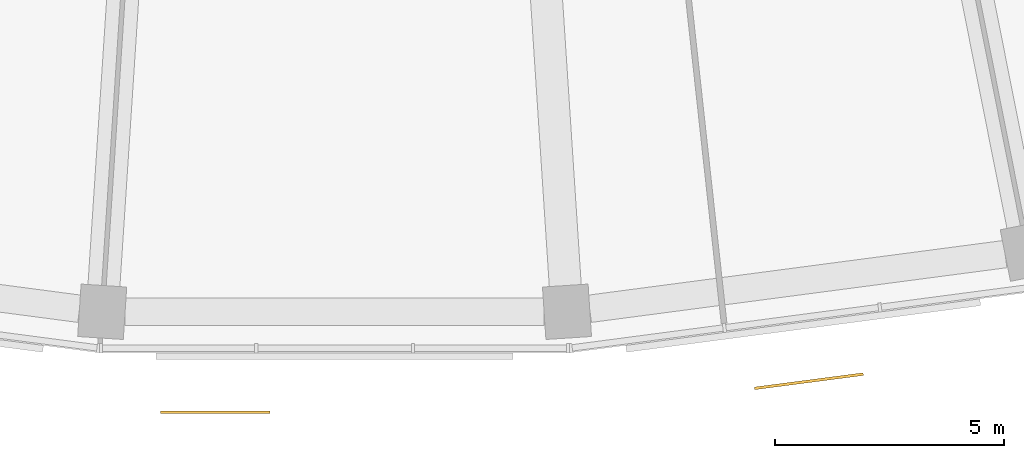
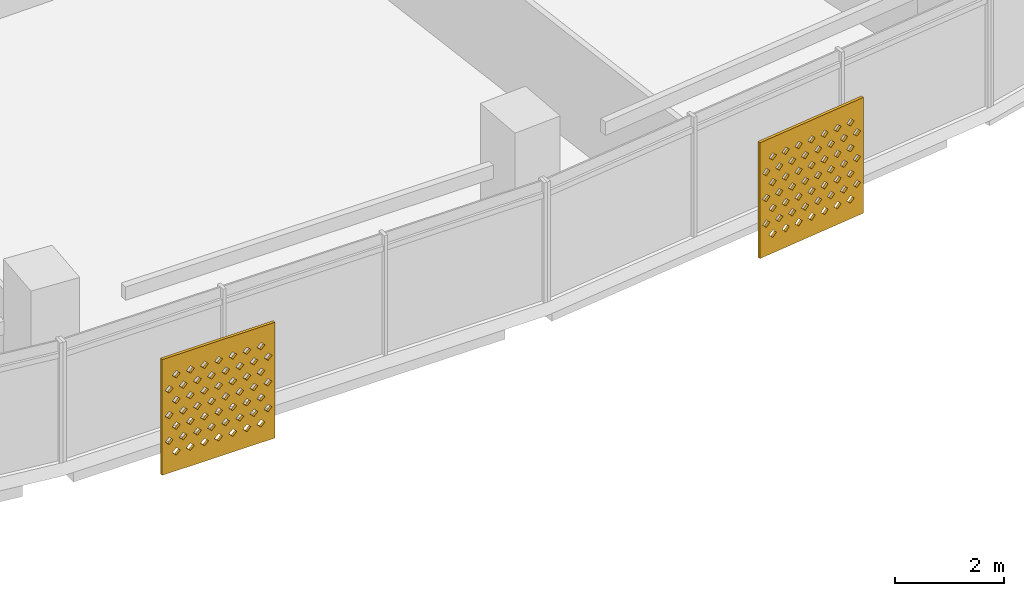
# One storey, part 25 of 28: 2 shading devices.
"""IFC4 building model written with IfcOpenShell, lengths in metres."""

from ifc_helpers import new_model, si_unit, direction, frame, origin, place, context, subcontext, project, spatial, polyline, outline, extrude, material, material_profile, profile_set, type_object, element, save


model = new_model("IFC4")

# Units and contexts
model_context = context("Model", 3, precision=1e-05, world=origin(), true_north=direction((0.0, 1.0)))
body_context = subcontext(model_context, "Body", "Model", "MODEL_VIEW")
ifc_project = project(units=[si_unit("LENGTHUNIT", "METRE"), si_unit("AREAUNIT", "SQUARE_METRE"), si_unit("VOLUMEUNIT", "CUBIC_METRE"), si_unit("PLANEANGLEUNIT", "RADIAN"), si_unit("MASSUNIT", "GRAM", prefix="KILO")], contexts=[model_context])

# Site, building, storey
site_placement = place(None, origin())
site = spatial("IfcSite", under=ifc_project, at=site_placement, CompositionType="ELEMENT")
building_placement = place(site_placement, origin())
building = spatial("IfcBuilding", under=site, at=building_placement, Name="Qamariyya Broadcast Tower", CompositionType="ELEMENT")
storey_placement = place(building_placement, frame((0.0, 0.0, 245.5)))
storey = spatial("IfcBuildingStorey", under=building, at=storey_placement, Name="L59", CompositionType="ELEMENT", Elevation=245.5)

# Shading devices
ifc_material = material(Name="Perforated glazed terracotta", Category="masonry")
ifc_material_profile = material_profile(ifc_material, outline(polyline([(-1.199951171875, -1.300048828125), (1.199951171875, -1.300048828125), (1.199951171875, 1.300048828125), (-1.199951171875, 1.300048828125), (-1.199951171875, -1.300048828125)]), holes=[polyline([(-0.81494140625, -0.86669921875), (-0.89990234375, -0.78173828125), (-0.985107421875, -0.86669921875), (-0.89990234375, -0.95166015625), (-0.81494140625, -0.86669921875)]), polyline([(-0.514892578125, -0.86669921875), (-0.60009765625, -0.78173828125), (-0.68505859375, -0.86669921875), (-0.60009765625, -0.95166015625), (-0.514892578125, -0.86669921875)]), polyline([(-0.215087890625, -0.86669921875), (-0.300048828125, -0.78173828125), (-0.385009765625, -0.86669921875), (-0.300048828125, -0.95166015625), (-0.215087890625, -0.86669921875)]), polyline([(0.0849609375, -0.86669921875), (0.0, -0.78173828125), (-0.0849609375, -0.86669921875), (0.0, -0.95166015625), (0.0849609375, -0.86669921875)]), polyline([(0.385009765625, -0.86669921875), (0.300048828125, -0.78173828125), (0.215087890625, -0.86669921875), (0.300048828125, -0.95166015625), (0.385009765625, -0.86669921875)]), polyline([(0.68505859375, -0.86669921875), (0.60009765625, -0.78173828125), (0.514892578125, -0.86669921875), (0.60009765625, -0.95166015625), (0.68505859375, -0.86669921875)]), polyline([(0.985107421875, -0.86669921875), (0.89990234375, -0.78173828125), (0.81494140625, -0.86669921875), (0.89990234375, -0.95166015625), (0.985107421875, -0.86669921875)]), polyline([(-0.965087890625, -0.577880859375), (-1.050048828125, -0.49267578125), (-1.135009765625, -0.577880859375), (-1.050048828125, -0.662841796875), (-0.965087890625, -0.577880859375)]), polyline([(-0.6650390625, -0.577880859375), (-0.75, -0.49267578125), (-0.8349609375, -0.577880859375), (-0.75, -0.662841796875), (-0.6650390625, -0.577880859375)]), polyline([(-0.364990234375, -0.577880859375), (-0.449951171875, -0.49267578125), (-0.534912109375, -0.577880859375), (-0.449951171875, -0.662841796875), (-0.364990234375, -0.577880859375)]), polyline([(-0.06494140625, -0.577880859375), (-0.14990234375, -0.49267578125), (-0.235107421875, -0.577880859375), (-0.14990234375, -0.662841796875), (-0.06494140625, -0.577880859375)]), polyline([(0.235107421875, -0.577880859375), (0.14990234375, -0.49267578125), (0.06494140625, -0.577880859375), (0.14990234375, -0.662841796875), (0.235107421875, -0.577880859375)]), polyline([(0.534912109375, -0.577880859375), (0.449951171875, -0.49267578125), (0.364990234375, -0.577880859375), (0.449951171875, -0.662841796875), (0.534912109375, -0.577880859375)]), polyline([(0.8349609375, -0.577880859375), (0.75, -0.49267578125), (0.6650390625, -0.577880859375), (0.75, -0.662841796875), (0.8349609375, -0.577880859375)]), polyline([(1.135009765625, -0.577880859375), (1.050048828125, -0.49267578125), (0.965087890625, -0.577880859375), (1.050048828125, -0.662841796875), (1.135009765625, -0.577880859375)]), polyline([(-0.81494140625, -0.288818359375), (-0.89990234375, -0.203857421875), (-0.985107421875, -0.288818359375), (-0.89990234375, -0.373779296875), (-0.81494140625, -0.288818359375)]), polyline([(-0.514892578125, -0.288818359375), (-0.60009765625, -0.203857421875), (-0.68505859375, -0.288818359375), (-0.60009765625, -0.373779296875), (-0.514892578125, -0.288818359375)]), polyline([(-0.215087890625, -0.288818359375), (-0.300048828125, -0.203857421875), (-0.385009765625, -0.288818359375), (-0.300048828125, -0.373779296875), (-0.215087890625, -0.288818359375)]), polyline([(0.0849609375, -0.288818359375), (0.0, -0.203857421875), (-0.0849609375, -0.288818359375), (0.0, -0.373779296875), (0.0849609375, -0.288818359375)]), polyline([(0.385009765625, -0.288818359375), (0.300048828125, -0.203857421875), (0.215087890625, -0.288818359375), (0.300048828125, -0.373779296875), (0.385009765625, -0.288818359375)]), polyline([(0.68505859375, -0.288818359375), (0.60009765625, -0.203857421875), (0.514892578125, -0.288818359375), (0.60009765625, -0.373779296875), (0.68505859375, -0.288818359375)]), polyline([(0.985107421875, -0.288818359375), (0.89990234375, -0.203857421875), (0.81494140625, -0.288818359375), (0.89990234375, -0.373779296875), (0.985107421875, -0.288818359375)]), polyline([(-0.965087890625, 0.0), (-1.050048828125, 0.0849609375), (-1.135009765625, 0.0), (-1.050048828125, -0.0849609375), (-0.965087890625, 0.0)]), polyline([(-0.6650390625, 0.0), (-0.75, 0.0849609375), (-0.8349609375, 0.0), (-0.75, -0.0849609375), (-0.6650390625, 0.0)]), polyline([(-0.364990234375, 0.0), (-0.449951171875, 0.0849609375), (-0.534912109375, 0.0), (-0.449951171875, -0.0849609375), (-0.364990234375, 0.0)]), polyline([(-0.06494140625, 0.0), (-0.14990234375, 0.0849609375), (-0.235107421875, 0.0), (-0.14990234375, -0.0849609375), (-0.06494140625, 0.0)]), polyline([(0.235107421875, 0.0), (0.14990234375, 0.0849609375), (0.06494140625, 0.0), (0.14990234375, -0.0849609375), (0.235107421875, 0.0)]), polyline([(0.534912109375, 0.0), (0.449951171875, 0.0849609375), (0.364990234375, 0.0), (0.449951171875, -0.0849609375), (0.534912109375, 0.0)]), polyline([(0.8349609375, 0.0), (0.75, 0.0849609375), (0.6650390625, 0.0), (0.75, -0.0849609375), (0.8349609375, 0.0)]), polyline([(1.135009765625, 0.0), (1.050048828125, 0.0849609375), (0.965087890625, 0.0), (1.050048828125, -0.0849609375), (1.135009765625, 0.0)]), polyline([(-0.81494140625, 0.288818359375), (-0.89990234375, 0.373779296875), (-0.985107421875, 0.288818359375), (-0.89990234375, 0.203857421875), (-0.81494140625, 0.288818359375)]), polyline([(-0.514892578125, 0.288818359375), (-0.60009765625, 0.373779296875), (-0.68505859375, 0.288818359375), (-0.60009765625, 0.203857421875), (-0.514892578125, 0.288818359375)]), polyline([(-0.215087890625, 0.288818359375), (-0.300048828125, 0.373779296875), (-0.385009765625, 0.288818359375), (-0.300048828125, 0.203857421875), (-0.215087890625, 0.288818359375)]), polyline([(0.0849609375, 0.288818359375), (0.0, 0.373779296875), (-0.0849609375, 0.288818359375), (0.0, 0.203857421875), (0.0849609375, 0.288818359375)]), polyline([(0.385009765625, 0.288818359375), (0.300048828125, 0.373779296875), (0.215087890625, 0.288818359375), (0.300048828125, 0.203857421875), (0.385009765625, 0.288818359375)]), polyline([(0.68505859375, 0.288818359375), (0.60009765625, 0.373779296875), (0.514892578125, 0.288818359375), (0.60009765625, 0.203857421875), (0.68505859375, 0.288818359375)]), polyline([(0.985107421875, 0.288818359375), (0.89990234375, 0.373779296875), (0.81494140625, 0.288818359375), (0.89990234375, 0.203857421875), (0.985107421875, 0.288818359375)]), polyline([(-0.965087890625, 0.577880859375), (-1.050048828125, 0.662841796875), (-1.135009765625, 0.577880859375), (-1.050048828125, 0.49267578125), (-0.965087890625, 0.577880859375)]), polyline([(-0.6650390625, 0.577880859375), (-0.75, 0.662841796875), (-0.8349609375, 0.577880859375), (-0.75, 0.49267578125), (-0.6650390625, 0.577880859375)]), polyline([(-0.364990234375, 0.577880859375), (-0.449951171875, 0.662841796875), (-0.534912109375, 0.577880859375), (-0.449951171875, 0.49267578125), (-0.364990234375, 0.577880859375)]), polyline([(-0.06494140625, 0.577880859375), (-0.14990234375, 0.662841796875), (-0.235107421875, 0.577880859375), (-0.14990234375, 0.49267578125), (-0.06494140625, 0.577880859375)]), polyline([(0.235107421875, 0.577880859375), (0.14990234375, 0.662841796875), (0.06494140625, 0.577880859375), (0.14990234375, 0.49267578125), (0.235107421875, 0.577880859375)]), polyline([(0.534912109375, 0.577880859375), (0.449951171875, 0.662841796875), (0.364990234375, 0.577880859375), (0.449951171875, 0.49267578125), (0.534912109375, 0.577880859375)]), polyline([(0.8349609375, 0.577880859375), (0.75, 0.662841796875), (0.6650390625, 0.577880859375), (0.75, 0.49267578125), (0.8349609375, 0.577880859375)]), polyline([(1.135009765625, 0.577880859375), (1.050048828125, 0.662841796875), (0.965087890625, 0.577880859375), (1.050048828125, 0.49267578125), (1.135009765625, 0.577880859375)]), polyline([(-0.81494140625, 0.86669921875), (-0.89990234375, 0.95166015625), (-0.985107421875, 0.86669921875), (-0.89990234375, 0.78173828125), (-0.81494140625, 0.86669921875)]), polyline([(-0.514892578125, 0.86669921875), (-0.60009765625, 0.95166015625), (-0.68505859375, 0.86669921875), (-0.60009765625, 0.78173828125), (-0.514892578125, 0.86669921875)]), polyline([(-0.215087890625, 0.86669921875), (-0.300048828125, 0.95166015625), (-0.385009765625, 0.86669921875), (-0.300048828125, 0.78173828125), (-0.215087890625, 0.86669921875)]), polyline([(0.0849609375, 0.86669921875), (0.0, 0.95166015625), (-0.0849609375, 0.86669921875), (0.0, 0.78173828125), (0.0849609375, 0.86669921875)]), polyline([(0.385009765625, 0.86669921875), (0.300048828125, 0.95166015625), (0.215087890625, 0.86669921875), (0.300048828125, 0.78173828125), (0.385009765625, 0.86669921875)]), polyline([(0.68505859375, 0.86669921875), (0.60009765625, 0.95166015625), (0.514892578125, 0.86669921875), (0.60009765625, 0.78173828125), (0.68505859375, 0.86669921875)]), polyline([(0.985107421875, 0.86669921875), (0.89990234375, 0.95166015625), (0.81494140625, 0.86669921875), (0.89990234375, 0.78173828125), (0.985107421875, 0.86669921875)])]))
ifc_profile_set = profile_set([ifc_material_profile], Name="Perforated glazed terracotta")
shading_device_type = type_object("IfcShadingDeviceType", Name="Perforated terracotta screen 2400 x 2600", PredefinedType="USERDEFINED", material=ifc_profile_set)
shading_device_1_placement = place(storey_placement, frame((-2.60791015625, -79.751708984375, 1.35009765625), z_axis=(0.0, -1.0, 0.0), x_axis=(1.0, 0.0, 0.0)))
element("IfcShadingDevice", 1, at=shading_device_1_placement, inside=storey, type_object=shading_device_type, Name="e-scr-L59-08-0", ObjectType="SCREEN", PredefinedType="USERDEFINED", context=body_context, shape_type="SweptSolid", body=[
    extrude(outline(polyline([(-1.199951171875, -1.300048828125), (1.199951171875, -1.300048828125), (1.199951171875, 1.300048828125), (-1.199951171875, 1.300048828125), (-1.199951171875, -1.300048828125)]), holes=[polyline([(-0.81494140625, -0.86669921875), (-0.89990234375, -0.78173828125), (-0.985107421875, -0.86669921875), (-0.89990234375, -0.95166015625), (-0.81494140625, -0.86669921875)]), polyline([(-0.514892578125, -0.86669921875), (-0.60009765625, -0.78173828125), (-0.68505859375, -0.86669921875), (-0.60009765625, -0.95166015625), (-0.514892578125, -0.86669921875)]), polyline([(-0.215087890625, -0.86669921875), (-0.300048828125, -0.78173828125), (-0.385009765625, -0.86669921875), (-0.300048828125, -0.95166015625), (-0.215087890625, -0.86669921875)]), polyline([(0.0849609375, -0.86669921875), (0.0, -0.78173828125), (-0.0849609375, -0.86669921875), (0.0, -0.95166015625), (0.0849609375, -0.86669921875)]), polyline([(0.385009765625, -0.86669921875), (0.300048828125, -0.78173828125), (0.215087890625, -0.86669921875), (0.300048828125, -0.95166015625), (0.385009765625, -0.86669921875)]), polyline([(0.68505859375, -0.86669921875), (0.60009765625, -0.78173828125), (0.514892578125, -0.86669921875), (0.60009765625, -0.95166015625), (0.68505859375, -0.86669921875)]), polyline([(0.985107421875, -0.86669921875), (0.89990234375, -0.78173828125), (0.81494140625, -0.86669921875), (0.89990234375, -0.95166015625), (0.985107421875, -0.86669921875)]), polyline([(-0.965087890625, -0.577880859375), (-1.050048828125, -0.49267578125), (-1.135009765625, -0.577880859375), (-1.050048828125, -0.662841796875), (-0.965087890625, -0.577880859375)]), polyline([(-0.6650390625, -0.577880859375), (-0.75, -0.49267578125), (-0.8349609375, -0.577880859375), (-0.75, -0.662841796875), (-0.6650390625, -0.577880859375)]), polyline([(-0.364990234375, -0.577880859375), (-0.449951171875, -0.49267578125), (-0.534912109375, -0.577880859375), (-0.449951171875, -0.662841796875), (-0.364990234375, -0.577880859375)]), polyline([(-0.06494140625, -0.577880859375), (-0.14990234375, -0.49267578125), (-0.235107421875, -0.577880859375), (-0.14990234375, -0.662841796875), (-0.06494140625, -0.577880859375)]), polyline([(0.235107421875, -0.577880859375), (0.14990234375, -0.49267578125), (0.06494140625, -0.577880859375), (0.14990234375, -0.662841796875), (0.235107421875, -0.577880859375)]), polyline([(0.534912109375, -0.577880859375), (0.449951171875, -0.49267578125), (0.364990234375, -0.577880859375), (0.449951171875, -0.662841796875), (0.534912109375, -0.577880859375)]), polyline([(0.8349609375, -0.577880859375), (0.75, -0.49267578125), (0.6650390625, -0.577880859375), (0.75, -0.662841796875), (0.8349609375, -0.577880859375)]), polyline([(1.135009765625, -0.577880859375), (1.050048828125, -0.49267578125), (0.965087890625, -0.577880859375), (1.050048828125, -0.662841796875), (1.135009765625, -0.577880859375)]), polyline([(-0.81494140625, -0.288818359375), (-0.89990234375, -0.203857421875), (-0.985107421875, -0.288818359375), (-0.89990234375, -0.373779296875), (-0.81494140625, -0.288818359375)]), polyline([(-0.514892578125, -0.288818359375), (-0.60009765625, -0.203857421875), (-0.68505859375, -0.288818359375), (-0.60009765625, -0.373779296875), (-0.514892578125, -0.288818359375)]), polyline([(-0.215087890625, -0.288818359375), (-0.300048828125, -0.203857421875), (-0.385009765625, -0.288818359375), (-0.300048828125, -0.373779296875), (-0.215087890625, -0.288818359375)]), polyline([(0.0849609375, -0.288818359375), (0.0, -0.203857421875), (-0.0849609375, -0.288818359375), (0.0, -0.373779296875), (0.0849609375, -0.288818359375)]), polyline([(0.385009765625, -0.288818359375), (0.300048828125, -0.203857421875), (0.215087890625, -0.288818359375), (0.300048828125, -0.373779296875), (0.385009765625, -0.288818359375)]), polyline([(0.68505859375, -0.288818359375), (0.60009765625, -0.203857421875), (0.514892578125, -0.288818359375), (0.60009765625, -0.373779296875), (0.68505859375, -0.288818359375)]), polyline([(0.985107421875, -0.288818359375), (0.89990234375, -0.203857421875), (0.81494140625, -0.288818359375), (0.89990234375, -0.373779296875), (0.985107421875, -0.288818359375)]), polyline([(-0.965087890625, 0.0), (-1.050048828125, 0.0849609375), (-1.135009765625, 0.0), (-1.050048828125, -0.0849609375), (-0.965087890625, 0.0)]), polyline([(-0.6650390625, 0.0), (-0.75, 0.0849609375), (-0.8349609375, 0.0), (-0.75, -0.0849609375), (-0.6650390625, 0.0)]), polyline([(-0.364990234375, 0.0), (-0.449951171875, 0.0849609375), (-0.534912109375, 0.0), (-0.449951171875, -0.0849609375), (-0.364990234375, 0.0)]), polyline([(-0.06494140625, 0.0), (-0.14990234375, 0.0849609375), (-0.235107421875, 0.0), (-0.14990234375, -0.0849609375), (-0.06494140625, 0.0)]), polyline([(0.235107421875, 0.0), (0.14990234375, 0.0849609375), (0.06494140625, 0.0), (0.14990234375, -0.0849609375), (0.235107421875, 0.0)]), polyline([(0.534912109375, 0.0), (0.449951171875, 0.0849609375), (0.364990234375, 0.0), (0.449951171875, -0.0849609375), (0.534912109375, 0.0)]), polyline([(0.8349609375, 0.0), (0.75, 0.0849609375), (0.6650390625, 0.0), (0.75, -0.0849609375), (0.8349609375, 0.0)]), polyline([(1.135009765625, 0.0), (1.050048828125, 0.0849609375), (0.965087890625, 0.0), (1.050048828125, -0.0849609375), (1.135009765625, 0.0)]), polyline([(-0.81494140625, 0.288818359375), (-0.89990234375, 0.373779296875), (-0.985107421875, 0.288818359375), (-0.89990234375, 0.203857421875), (-0.81494140625, 0.288818359375)]), polyline([(-0.514892578125, 0.288818359375), (-0.60009765625, 0.373779296875), (-0.68505859375, 0.288818359375), (-0.60009765625, 0.203857421875), (-0.514892578125, 0.288818359375)]), polyline([(-0.215087890625, 0.288818359375), (-0.300048828125, 0.373779296875), (-0.385009765625, 0.288818359375), (-0.300048828125, 0.203857421875), (-0.215087890625, 0.288818359375)]), polyline([(0.0849609375, 0.288818359375), (0.0, 0.373779296875), (-0.0849609375, 0.288818359375), (0.0, 0.203857421875), (0.0849609375, 0.288818359375)]), polyline([(0.385009765625, 0.288818359375), (0.300048828125, 0.373779296875), (0.215087890625, 0.288818359375), (0.300048828125, 0.203857421875), (0.385009765625, 0.288818359375)]), polyline([(0.68505859375, 0.288818359375), (0.60009765625, 0.373779296875), (0.514892578125, 0.288818359375), (0.60009765625, 0.203857421875), (0.68505859375, 0.288818359375)]), polyline([(0.985107421875, 0.288818359375), (0.89990234375, 0.373779296875), (0.81494140625, 0.288818359375), (0.89990234375, 0.203857421875), (0.985107421875, 0.288818359375)]), polyline([(-0.965087890625, 0.577880859375), (-1.050048828125, 0.662841796875), (-1.135009765625, 0.577880859375), (-1.050048828125, 0.49267578125), (-0.965087890625, 0.577880859375)]), polyline([(-0.6650390625, 0.577880859375), (-0.75, 0.662841796875), (-0.8349609375, 0.577880859375), (-0.75, 0.49267578125), (-0.6650390625, 0.577880859375)]), polyline([(-0.364990234375, 0.577880859375), (-0.449951171875, 0.662841796875), (-0.534912109375, 0.577880859375), (-0.449951171875, 0.49267578125), (-0.364990234375, 0.577880859375)]), polyline([(-0.06494140625, 0.577880859375), (-0.14990234375, 0.662841796875), (-0.235107421875, 0.577880859375), (-0.14990234375, 0.49267578125), (-0.06494140625, 0.577880859375)]), polyline([(0.235107421875, 0.577880859375), (0.14990234375, 0.662841796875), (0.06494140625, 0.577880859375), (0.14990234375, 0.49267578125), (0.235107421875, 0.577880859375)]), polyline([(0.534912109375, 0.577880859375), (0.449951171875, 0.662841796875), (0.364990234375, 0.577880859375), (0.449951171875, 0.49267578125), (0.534912109375, 0.577880859375)]), polyline([(0.8349609375, 0.577880859375), (0.75, 0.662841796875), (0.6650390625, 0.577880859375), (0.75, 0.49267578125), (0.8349609375, 0.577880859375)]), polyline([(1.135009765625, 0.577880859375), (1.050048828125, 0.662841796875), (0.965087890625, 0.577880859375), (1.050048828125, 0.49267578125), (1.135009765625, 0.577880859375)]), polyline([(-0.81494140625, 0.86669921875), (-0.89990234375, 0.95166015625), (-0.985107421875, 0.86669921875), (-0.89990234375, 0.78173828125), (-0.81494140625, 0.86669921875)]), polyline([(-0.514892578125, 0.86669921875), (-0.60009765625, 0.95166015625), (-0.68505859375, 0.86669921875), (-0.60009765625, 0.78173828125), (-0.514892578125, 0.86669921875)]), polyline([(-0.215087890625, 0.86669921875), (-0.300048828125, 0.95166015625), (-0.385009765625, 0.86669921875), (-0.300048828125, 0.78173828125), (-0.215087890625, 0.86669921875)]), polyline([(0.0849609375, 0.86669921875), (0.0, 0.95166015625), (-0.0849609375, 0.86669921875), (0.0, 0.78173828125), (0.0849609375, 0.86669921875)]), polyline([(0.385009765625, 0.86669921875), (0.300048828125, 0.95166015625), (0.215087890625, 0.86669921875), (0.300048828125, 0.78173828125), (0.385009765625, 0.86669921875)]), polyline([(0.68505859375, 0.86669921875), (0.60009765625, 0.95166015625), (0.514892578125, 0.86669921875), (0.60009765625, 0.78173828125), (0.68505859375, 0.86669921875)]), polyline([(0.985107421875, 0.86669921875), (0.89990234375, 0.95166015625), (0.81494140625, 0.86669921875), (0.89990234375, 0.78173828125), (0.985107421875, 0.86669921875)])]), origin(), (0.0, 0.0, 1.0), 0.059814453125),
])
shading_device_2_placement = place(storey_placement, frame((10.3740234375, -79.073974609375, 1.35009765625), z_axis=(0.1300340368, -0.991509530601, 0.0), x_axis=(0.991509530601, 0.1300340368, 0.0)))
element("IfcShadingDevice", 2, at=shading_device_2_placement, inside=storey, type_object=shading_device_type, Name="e-scr-L59-09-1", ObjectType="SCREEN", PredefinedType="USERDEFINED", context=body_context, shape_type="SweptSolid", body=[
    extrude(outline(polyline([(-1.199951171875, -1.300048828125), (1.199951171875, -1.300048828125), (1.199951171875, 1.300048828125), (-1.199951171875, 1.300048828125), (-1.199951171875, -1.300048828125)]), holes=[polyline([(-0.81494140625, -0.86669921875), (-0.89990234375, -0.78173828125), (-0.985107421875, -0.86669921875), (-0.89990234375, -0.95166015625), (-0.81494140625, -0.86669921875)]), polyline([(-0.514892578125, -0.86669921875), (-0.60009765625, -0.78173828125), (-0.68505859375, -0.86669921875), (-0.60009765625, -0.95166015625), (-0.514892578125, -0.86669921875)]), polyline([(-0.215087890625, -0.86669921875), (-0.300048828125, -0.78173828125), (-0.385009765625, -0.86669921875), (-0.300048828125, -0.95166015625), (-0.215087890625, -0.86669921875)]), polyline([(0.0849609375, -0.86669921875), (0.0, -0.78173828125), (-0.0849609375, -0.86669921875), (0.0, -0.95166015625), (0.0849609375, -0.86669921875)]), polyline([(0.385009765625, -0.86669921875), (0.300048828125, -0.78173828125), (0.215087890625, -0.86669921875), (0.300048828125, -0.95166015625), (0.385009765625, -0.86669921875)]), polyline([(0.68505859375, -0.86669921875), (0.60009765625, -0.78173828125), (0.514892578125, -0.86669921875), (0.60009765625, -0.95166015625), (0.68505859375, -0.86669921875)]), polyline([(0.985107421875, -0.86669921875), (0.89990234375, -0.78173828125), (0.81494140625, -0.86669921875), (0.89990234375, -0.95166015625), (0.985107421875, -0.86669921875)]), polyline([(-0.965087890625, -0.577880859375), (-1.050048828125, -0.49267578125), (-1.135009765625, -0.577880859375), (-1.050048828125, -0.662841796875), (-0.965087890625, -0.577880859375)]), polyline([(-0.6650390625, -0.577880859375), (-0.75, -0.49267578125), (-0.8349609375, -0.577880859375), (-0.75, -0.662841796875), (-0.6650390625, -0.577880859375)]), polyline([(-0.364990234375, -0.577880859375), (-0.449951171875, -0.49267578125), (-0.534912109375, -0.577880859375), (-0.449951171875, -0.662841796875), (-0.364990234375, -0.577880859375)]), polyline([(-0.06494140625, -0.577880859375), (-0.14990234375, -0.49267578125), (-0.235107421875, -0.577880859375), (-0.14990234375, -0.662841796875), (-0.06494140625, -0.577880859375)]), polyline([(0.235107421875, -0.577880859375), (0.14990234375, -0.49267578125), (0.06494140625, -0.577880859375), (0.14990234375, -0.662841796875), (0.235107421875, -0.577880859375)]), polyline([(0.534912109375, -0.577880859375), (0.449951171875, -0.49267578125), (0.364990234375, -0.577880859375), (0.449951171875, -0.662841796875), (0.534912109375, -0.577880859375)]), polyline([(0.8349609375, -0.577880859375), (0.75, -0.49267578125), (0.6650390625, -0.577880859375), (0.75, -0.662841796875), (0.8349609375, -0.577880859375)]), polyline([(1.135009765625, -0.577880859375), (1.050048828125, -0.49267578125), (0.965087890625, -0.577880859375), (1.050048828125, -0.662841796875), (1.135009765625, -0.577880859375)]), polyline([(-0.81494140625, -0.288818359375), (-0.89990234375, -0.203857421875), (-0.985107421875, -0.288818359375), (-0.89990234375, -0.373779296875), (-0.81494140625, -0.288818359375)]), polyline([(-0.514892578125, -0.288818359375), (-0.60009765625, -0.203857421875), (-0.68505859375, -0.288818359375), (-0.60009765625, -0.373779296875), (-0.514892578125, -0.288818359375)]), polyline([(-0.215087890625, -0.288818359375), (-0.300048828125, -0.203857421875), (-0.385009765625, -0.288818359375), (-0.300048828125, -0.373779296875), (-0.215087890625, -0.288818359375)]), polyline([(0.0849609375, -0.288818359375), (0.0, -0.203857421875), (-0.0849609375, -0.288818359375), (0.0, -0.373779296875), (0.0849609375, -0.288818359375)]), polyline([(0.385009765625, -0.288818359375), (0.300048828125, -0.203857421875), (0.215087890625, -0.288818359375), (0.300048828125, -0.373779296875), (0.385009765625, -0.288818359375)]), polyline([(0.68505859375, -0.288818359375), (0.60009765625, -0.203857421875), (0.514892578125, -0.288818359375), (0.60009765625, -0.373779296875), (0.68505859375, -0.288818359375)]), polyline([(0.985107421875, -0.288818359375), (0.89990234375, -0.203857421875), (0.81494140625, -0.288818359375), (0.89990234375, -0.373779296875), (0.985107421875, -0.288818359375)]), polyline([(-0.965087890625, 0.0), (-1.050048828125, 0.0849609375), (-1.135009765625, 0.0), (-1.050048828125, -0.0849609375), (-0.965087890625, 0.0)]), polyline([(-0.6650390625, 0.0), (-0.75, 0.0849609375), (-0.8349609375, 0.0), (-0.75, -0.0849609375), (-0.6650390625, 0.0)]), polyline([(-0.364990234375, 0.0), (-0.449951171875, 0.0849609375), (-0.534912109375, 0.0), (-0.449951171875, -0.0849609375), (-0.364990234375, 0.0)]), polyline([(-0.06494140625, 0.0), (-0.14990234375, 0.0849609375), (-0.235107421875, 0.0), (-0.14990234375, -0.0849609375), (-0.06494140625, 0.0)]), polyline([(0.235107421875, 0.0), (0.14990234375, 0.0849609375), (0.06494140625, 0.0), (0.14990234375, -0.0849609375), (0.235107421875, 0.0)]), polyline([(0.534912109375, 0.0), (0.449951171875, 0.0849609375), (0.364990234375, 0.0), (0.449951171875, -0.0849609375), (0.534912109375, 0.0)]), polyline([(0.8349609375, 0.0), (0.75, 0.0849609375), (0.6650390625, 0.0), (0.75, -0.0849609375), (0.8349609375, 0.0)]), polyline([(1.135009765625, 0.0), (1.050048828125, 0.0849609375), (0.965087890625, 0.0), (1.050048828125, -0.0849609375), (1.135009765625, 0.0)]), polyline([(-0.81494140625, 0.288818359375), (-0.89990234375, 0.373779296875), (-0.985107421875, 0.288818359375), (-0.89990234375, 0.203857421875), (-0.81494140625, 0.288818359375)]), polyline([(-0.514892578125, 0.288818359375), (-0.60009765625, 0.373779296875), (-0.68505859375, 0.288818359375), (-0.60009765625, 0.203857421875), (-0.514892578125, 0.288818359375)]), polyline([(-0.215087890625, 0.288818359375), (-0.300048828125, 0.373779296875), (-0.385009765625, 0.288818359375), (-0.300048828125, 0.203857421875), (-0.215087890625, 0.288818359375)]), polyline([(0.0849609375, 0.288818359375), (0.0, 0.373779296875), (-0.0849609375, 0.288818359375), (0.0, 0.203857421875), (0.0849609375, 0.288818359375)]), polyline([(0.385009765625, 0.288818359375), (0.300048828125, 0.373779296875), (0.215087890625, 0.288818359375), (0.300048828125, 0.203857421875), (0.385009765625, 0.288818359375)]), polyline([(0.68505859375, 0.288818359375), (0.60009765625, 0.373779296875), (0.514892578125, 0.288818359375), (0.60009765625, 0.203857421875), (0.68505859375, 0.288818359375)]), polyline([(0.985107421875, 0.288818359375), (0.89990234375, 0.373779296875), (0.81494140625, 0.288818359375), (0.89990234375, 0.203857421875), (0.985107421875, 0.288818359375)]), polyline([(-0.965087890625, 0.577880859375), (-1.050048828125, 0.662841796875), (-1.135009765625, 0.577880859375), (-1.050048828125, 0.49267578125), (-0.965087890625, 0.577880859375)]), polyline([(-0.6650390625, 0.577880859375), (-0.75, 0.662841796875), (-0.8349609375, 0.577880859375), (-0.75, 0.49267578125), (-0.6650390625, 0.577880859375)]), polyline([(-0.364990234375, 0.577880859375), (-0.449951171875, 0.662841796875), (-0.534912109375, 0.577880859375), (-0.449951171875, 0.49267578125), (-0.364990234375, 0.577880859375)]), polyline([(-0.06494140625, 0.577880859375), (-0.14990234375, 0.662841796875), (-0.235107421875, 0.577880859375), (-0.14990234375, 0.49267578125), (-0.06494140625, 0.577880859375)]), polyline([(0.235107421875, 0.577880859375), (0.14990234375, 0.662841796875), (0.06494140625, 0.577880859375), (0.14990234375, 0.49267578125), (0.235107421875, 0.577880859375)]), polyline([(0.534912109375, 0.577880859375), (0.449951171875, 0.662841796875), (0.364990234375, 0.577880859375), (0.449951171875, 0.49267578125), (0.534912109375, 0.577880859375)]), polyline([(0.8349609375, 0.577880859375), (0.75, 0.662841796875), (0.6650390625, 0.577880859375), (0.75, 0.49267578125), (0.8349609375, 0.577880859375)]), polyline([(1.135009765625, 0.577880859375), (1.050048828125, 0.662841796875), (0.965087890625, 0.577880859375), (1.050048828125, 0.49267578125), (1.135009765625, 0.577880859375)]), polyline([(-0.81494140625, 0.86669921875), (-0.89990234375, 0.95166015625), (-0.985107421875, 0.86669921875), (-0.89990234375, 0.78173828125), (-0.81494140625, 0.86669921875)]), polyline([(-0.514892578125, 0.86669921875), (-0.60009765625, 0.95166015625), (-0.68505859375, 0.86669921875), (-0.60009765625, 0.78173828125), (-0.514892578125, 0.86669921875)]), polyline([(-0.215087890625, 0.86669921875), (-0.300048828125, 0.95166015625), (-0.385009765625, 0.86669921875), (-0.300048828125, 0.78173828125), (-0.215087890625, 0.86669921875)]), polyline([(0.0849609375, 0.86669921875), (0.0, 0.95166015625), (-0.0849609375, 0.86669921875), (0.0, 0.78173828125), (0.0849609375, 0.86669921875)]), polyline([(0.385009765625, 0.86669921875), (0.300048828125, 0.95166015625), (0.215087890625, 0.86669921875), (0.300048828125, 0.78173828125), (0.385009765625, 0.86669921875)]), polyline([(0.68505859375, 0.86669921875), (0.60009765625, 0.95166015625), (0.514892578125, 0.86669921875), (0.60009765625, 0.78173828125), (0.68505859375, 0.86669921875)]), polyline([(0.985107421875, 0.86669921875), (0.89990234375, 0.95166015625), (0.81494140625, 0.86669921875), (0.89990234375, 0.78173828125), (0.985107421875, 0.86669921875)])]), origin(), (0.0, 0.0, 1.0), 0.06005859375),
])

save(model, "model.ifc")
